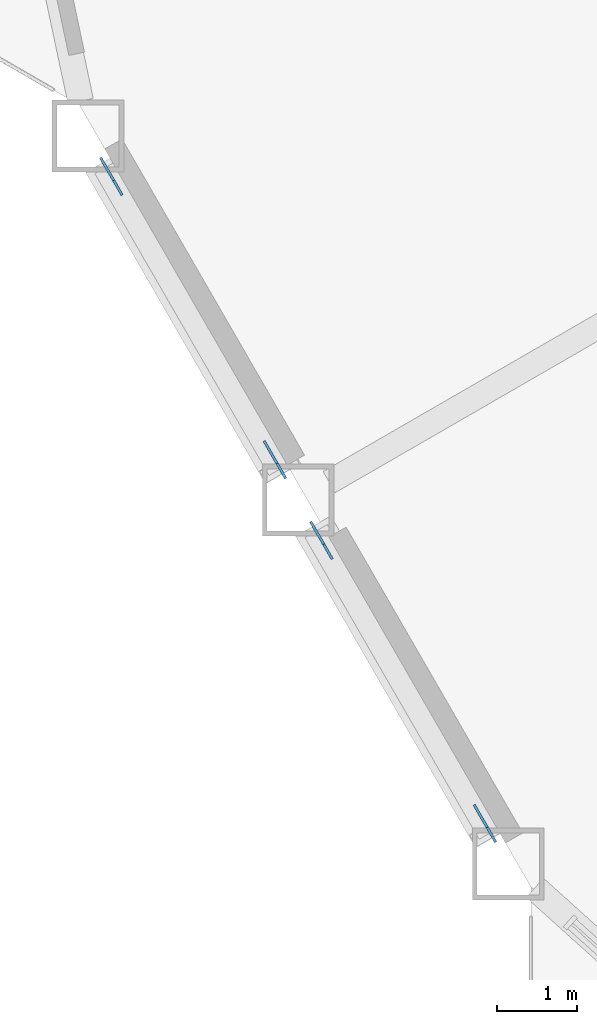
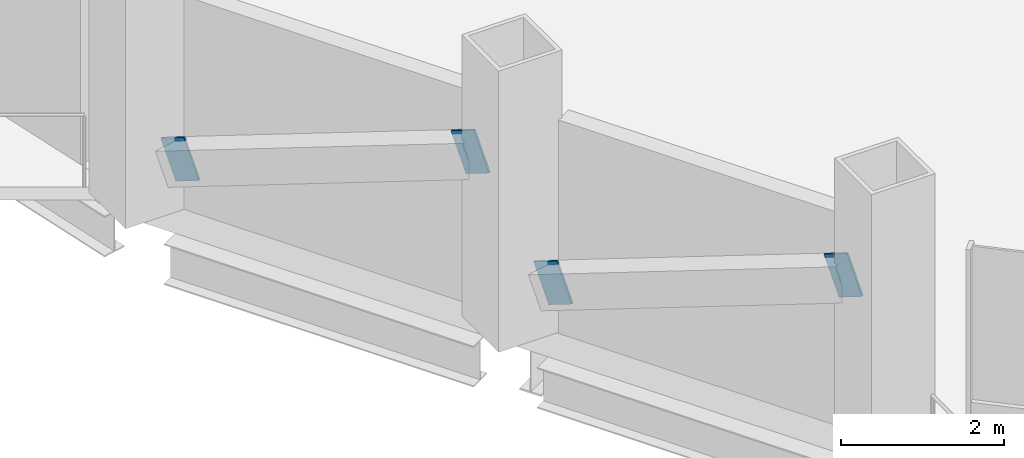
# One storey, part 14 of 21: 4 discrete accessories.
"""IFC4 building model written with IfcOpenShell, lengths in metres."""

from ifc_helpers import new_model, si_unit, direction, frame, origin, origin_2d, place, context, subcontext, project, spatial, rectangle, extrude, material, material_profile, profile_set, type_object, element, save


model = new_model("IFC4")

# Units and contexts
model_context = context("Model", 3, precision=1e-05, world=origin(), true_north=direction((0.0, 1.0)))
body_context = subcontext(model_context, "Body", "Model", "MODEL_VIEW")
ifc_project = project(units=[si_unit("LENGTHUNIT", "METRE"), si_unit("AREAUNIT", "SQUARE_METRE"), si_unit("VOLUMEUNIT", "CUBIC_METRE"), si_unit("PLANEANGLEUNIT", "RADIAN"), si_unit("MASSUNIT", "GRAM", prefix="KILO")], contexts=[model_context])

# Site, building, storey
site_placement = place(None, origin())
site = spatial("IfcSite", under=ifc_project, at=site_placement, CompositionType="ELEMENT")
building_placement = place(site_placement, origin())
building = spatial("IfcBuilding", under=site, at=building_placement, Name="Cormorant Prow Tower", CompositionType="ELEMENT")
storey_placement = place(building_placement, frame((0.0, 0.0, 133.199951171875)))
storey = spatial("IfcBuildingStorey", under=building, at=storey_placement, Name="L28", CompositionType="ELEMENT", Elevation=133.199951171875)

# Discrete accessories
ifc_material = material(Name="Structural steel ASTM A500 Gr C", Category="steel")
ifc_material_profile = material_profile(ifc_material, rectangle(XDim=0.031982421875, YDim=0.60791015625, at=origin_2d()), Name="Gusset plate 32x608")
ifc_profile_set = profile_set([ifc_material_profile], Name="Structural steel ASTM A500 Gr C")
discrete_accessory_type = type_object("IfcDiscreteAccessoryType", Name="Gusset plate 32x608", PredefinedType="BRACKET", material=ifc_profile_set)
for number, where, z_axis, x_axis, name in (
    (1, (-30.39501953125, -12.328125, 0.882568359375), (-0.467903125124, 0.810288273314, -0.352844979601), (-0.865987003449, -0.500066505434, 0.0), "Gusset plate GP1 L28.WSW00.g0"),
    (2, (-28.5087890625, -15.59521484375, 2.306396484375), (0.467903125124, -0.810288273314, 0.352844979601), (0.865987003449, 0.500066505434, 0.0), "Gusset plate GP1 L28.WSW00.g1"),
):
    element("IfcDiscreteAccessory", number, at=place(storey_placement, frame(where, z_axis=z_axis, x_axis=x_axis)), inside=storey, type_object=discrete_accessory_type, Name=name, PredefinedType="BRACKET", context=body_context, shape_type="SweptSolid", body=[
        extrude(rectangle(XDim=0.031982421875, YDim=0.60791015625, at=origin_2d()), origin(), (0.0, 0.0, 1.0), 0.35009765625),
    ])
discrete_accessory_1_placement = place(storey_placement, frame((-27.76025390625, -16.8916015625, 0.882568359375), z_axis=(-0.468167615655, 0.810048586848, -0.353044431477), x_axis=(-0.865800459427, -0.500389412813, 0.0)))
element("IfcDiscreteAccessory", 3, at=discrete_accessory_1_placement, inside=storey, type_object=discrete_accessory_type, Name="Gusset plate GP1 L28.WSW01.g0", PredefinedType="BRACKET", context=body_context, shape_type="SweptSolid", body=[
    extrude(rectangle(XDim=0.031982421875, YDim=0.60791015625, at=origin_2d()), origin(), (0.0, 0.0, 1.0), 0.349853515625),
])
discrete_accessory_2_placement = place(storey_placement, frame((-25.8740234375, -20.158935546875, 2.306396484375), z_axis=(0.467903125124, -0.810288273314, 0.352844979601), x_axis=(0.865987003449, 0.500066505434, 0.0)))
element("IfcDiscreteAccessory", 4, at=discrete_accessory_2_placement, inside=storey, type_object=discrete_accessory_type, Name="Gusset plate GP1 L28.WSW01.g1", PredefinedType="BRACKET", context=body_context, shape_type="SweptSolid", body=[
    extrude(rectangle(XDim=0.031982421875, YDim=0.60791015625, at=origin_2d()), origin(), (0.0, 0.0, 1.0), 0.35009765625),
])

save(model, "model.ifc")
